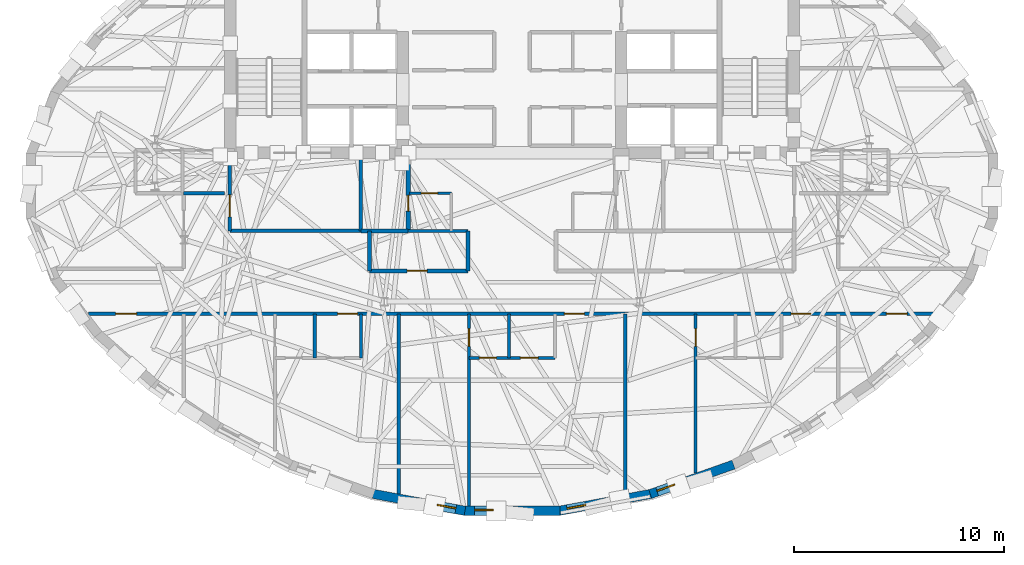
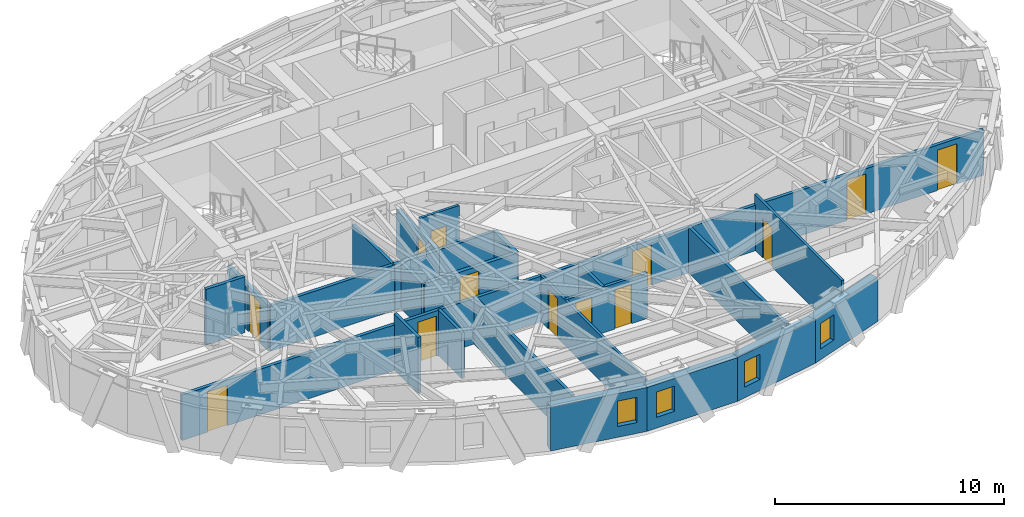
# One storey, part 6 of 13: 24 walls, 13 doors, 4 windows, 17 openings.
"""IFC4 building model written with IfcOpenShell, lengths in metres."""

from ifc_helpers import new_model, si_unit, direction, frame, frame_2d, origin, place, context, subcontext, project, spatial, rectangle, extrude, material, layer, layer_set, type_object, element, fill, save


model = new_model("IFC4")

# Units and contexts
model_context = context("Model", 3, precision=1e-05, world=origin(), true_north=direction((0.0, 1.0)))
body_context = subcontext(model_context, "Body", "Model", "MODEL_VIEW")
ifc_project = project(units=[si_unit("LENGTHUNIT", "METRE"), si_unit("AREAUNIT", "SQUARE_METRE"), si_unit("VOLUMEUNIT", "CUBIC_METRE"), si_unit("PLANEANGLEUNIT", "RADIAN"), si_unit("MASSUNIT", "GRAM", prefix="KILO")], contexts=[model_context])

# Site, building, storey
site_placement = place(None, origin())
site = spatial("IfcSite", under=ifc_project, at=site_placement, CompositionType="ELEMENT")
building_placement = place(site_placement, origin())
building = spatial("IfcBuilding", under=site, at=building_placement, Name="Keldmark Tower", CompositionType="ELEMENT")
storey_placement = place(building_placement, frame((0.0, 0.0, 219.449951171875)))
storey = spatial("IfcBuildingStorey", under=building, at=storey_placement, Name="L61", CompositionType="ELEMENT", Elevation=219.449951171875)

# Wall, opening, door
ifc_material_1 = material(Name="Heavy Acoustic Plumbing Chase Gypsum Assembly", Category="gypsum")
ifc_layer_1 = layer(ifc_material_1, 0.18994140625)
ifc_layer_set_1 = layer_set([ifc_layer_1], Name="Heavy Acoustic Plumbing Chase Gypsum Assembly")
wall_type_1 = type_object("IfcWallType", Name="Heavy Wet Wall 190 mm", PredefinedType="PLUMBINGWALL", material=ifc_layer_set_1)
wall_1_placement = place(storey_placement, frame((-6.800048828125, -4.050048828125, 0.0), z_axis=(0.0, 0.0, 1.0), x_axis=(1.0, 0.0, 0.0)))
wall_1 = element("IfcWall", 1, at=wall_1_placement, inside=storey, type_object=wall_type_1, Name="L61 Heavy Wet Wall 190 mm SPK-W-S", PredefinedType="PLUMBINGWALL", context=body_context, shape_type="SweptSolid", body=[
    extrude(rectangle(XDim=4.699951171875, YDim=0.18994140625, at=frame_2d((2.35009765625, 0.0))), origin(), (0.0, 0.0, 1.0), 2.423095703125),
])
opening_1_placement = place(wall_1_placement, frame((1.800048828125, 0.0, 0.0)))
opening_1 = element("IfcOpeningElement", 2, at=opening_1_placement, cuts=wall_1, Name="Opening D-AWC95", PredefinedType="OPENING", context=body_context, shape_type="SweptSolid", body=[
    extrude(rectangle(XDim=0.949951171875, YDim=2.14990234375, at=frame_2d((0.47509765625, 1.074951171875))), frame((0.0, 0.10498046875, 0.0), z_axis=(0.0, -1.0, 0.0), x_axis=(1.0, 0.0, 0.0)), (0.0, 0.0, 1.0), 0.2099609375),
])
ifc_material_2 = material(Name="Painted Solid-Core Architectural Wood", Category="wood")
door_type_1 = type_object("IfcDoorType", Name="Accessible WC Door 950x2150", OperationType="NOTDEFINED", PredefinedType="DOOR", material=ifc_material_2)
door_1_placement = place(opening_1_placement, origin())
door_1 = element("IfcDoor", 3, at=door_1_placement, inside=storey, type_object=door_type_1, Name="L61 Accessible WC Door 950x2150 D-SPKW1-L61", OperationType="SINGLE_SWING_LEFT", OverallHeight=2.14990234375, OverallWidth=0.949951171875, PredefinedType="DOOR", context=body_context, shape_type="SweptSolid", body=[
    extrude(rectangle(XDim=0.949951171875, YDim=2.14990234375, at=frame_2d((0.47509765625, 1.074951171875))), frame((0.0, 0.02490234375, 0.0), z_axis=(0.0, -1.0, 0.0), x_axis=(1.0, 0.0, 0.0)), (0.0, 0.0, 1.0), 0.050048828125),
])
fill(opening_1, door_1)

# Walls
for number, where, z_axis, x_axis, name in (
    (4, (-6.800048828125, -4.050048828125, 0.0), (0.0, 0.0, 1.0), (0.0, 1.0, 0.0), "L61 Heavy Wet Wall 190 mm SPK-W-W"),
    (5, (-2.10009765625, -4.050048828125, 0.0), (0.0, 0.0, 1.0), (0.0, 1.0, 0.0), "L61 Heavy Wet Wall 190 mm SPK-W-E"),
):
    element("IfcWall", number, at=place(storey_placement, frame(where, z_axis=z_axis, x_axis=x_axis)), inside=storey, type_object=wall_type_1, Name=name, PredefinedType="PLUMBINGWALL", context=body_context, shape_type="SweptSolid", body=[
        extrude(rectangle(XDim=1.900146484375, YDim=0.18994140625, at=frame_2d((0.9501953125, 0.0))), origin(), (0.0, 0.0, 1.0), 2.423095703125),
    ])

# Wall, opening, door
ifc_material_3 = material(Name="Acoustic Gypsum Board Interior Partition", Category="gypsum")
ifc_layer_2 = layer(ifc_material_3, 0.1298828125)
ifc_layer_set_2 = layer_set([ifc_layer_2], Name="Acoustic Gypsum Board Interior Partition")
wall_type_2 = type_object("IfcWallType", Name="Interior Partition 130 mm", PredefinedType="PARTITIONING", material=ifc_layer_set_2)
wall_2_placement = place(storey_placement, frame((-4.8798828125, -0.35009765625, 0.0), z_axis=(0.0, 0.0, 1.0), x_axis=(1.0, 0.0, 0.0)))
wall_2 = element("IfcWall", 6, at=wall_2_placement, inside=storey, type_object=wall_type_2, Name="L61 Interior Partition 130 mm CSC-W-N", PredefinedType="PARTITIONING", context=body_context, shape_type="SweptSolid", body=[
    extrude(rectangle(XDim=1.989990234375, YDim=0.1298828125, at=frame_2d((0.9951171875, 0.0))), origin(), (0.0, 0.0, 1.0), 2.969970703125),
])
opening_2_placement = place(wall_2_placement, frame((0.550048828125, 0.0, 0.0)))
opening_2 = element("IfcOpeningElement", 7, at=opening_2_placement, cuts=wall_2, Name="Opening D-CL078", PredefinedType="OPENING", context=body_context, shape_type="SweptSolid", body=[
    extrude(rectangle(XDim=0.780029296875, YDim=2.10009765625, at=frame_2d((0.39013671875, 1.050048828125))), frame((0.0, 0.074951171875, 0.0), z_axis=(0.0, -1.0, 0.0), x_axis=(1.0, 0.0, 0.0)), (0.0, 0.0, 1.0), 0.14990234375),
])
ifc_material_4 = material(Name="Flush Utility Closet Timber Door", Category="wood")
door_type_2 = type_object("IfcDoorType", Name="Closet Door 780x2100", OperationType="NOTDEFINED", PredefinedType="DOOR", material=ifc_material_4)
door_2_placement = place(opening_2_placement, origin())
door_2 = element("IfcDoor", 8, at=door_2_placement, inside=storey, type_object=door_type_2, Name="L61 Closet Door 780x2100 D-CSCW1-L61", OperationType="SINGLE_SWING_LEFT", OverallHeight=2.10009765625, OverallWidth=0.780029296875, PredefinedType="DOOR", context=body_context, shape_type="SweptSolid", body=[
    extrude(rectangle(XDim=0.780029296875, YDim=2.10009765625, at=frame_2d((0.39013671875, 1.050048828125))), frame((0.0, 0.02490234375, 0.0), z_axis=(0.0, -1.0, 0.0), x_axis=(1.0, 0.0, 0.0)), (0.0, 0.0, 1.0), 0.050048828125),
])
fill(opening_2, door_2)

wall_3_placement = place(storey_placement, frame((-2.050048828125, -15.2587890625, 0.0), z_axis=(0.0, 0.0, 1.0), x_axis=(0.0, 1.0, 0.0)))
wall_3 = element("IfcWall", 9, at=wall_3_placement, inside=storey, type_object=wall_type_2, Name="L61 Interior Partition 130 mm UB-BR1-E", PredefinedType="PARTITIONING", context=body_context, shape_type="SweptSolid", body=[
    extrude(rectangle(XDim=9.15869140625, YDim=0.1298828125, at=frame_2d((4.579345703125, 0.0))), origin(), (0.0, 0.0, 1.0), 2.423095703125),
])
opening_3_placement = place(wall_3_placement, frame((7.60888671875, 0.0, 0.0)))
opening_3 = element("IfcOpeningElement", 10, at=opening_3_placement, cuts=wall_3, Name="Opening D-BR085", PredefinedType="OPENING", context=body_context, shape_type="SweptSolid", body=[
    extrude(rectangle(XDim=0.85009765625, YDim=2.10009765625, at=frame_2d((0.425048828125, 1.050048828125))), frame((0.0, 0.074951171875, 0.0), z_axis=(0.0, -1.0, 0.0), x_axis=(1.0, 0.0, 0.0)), (0.0, 0.0, 1.0), 0.14990234375),
])
ifc_material_5 = material(Name="Solid-Core Stained Walnut Wood", Category="wood")
door_type_3 = type_object("IfcDoorType", Name="Bedroom Door 850x2100", OperationType="NOTDEFINED", PredefinedType="DOOR", material=ifc_material_5)
door_3_placement = place(opening_3_placement, origin())
door_3 = element("IfcDoor", 11, at=door_3_placement, inside=storey, type_object=door_type_3, Name="L61 Bedroom Door 850x2100 D-UB-BR1-L61", OperationType="SINGLE_SWING_RIGHT", OverallHeight=2.10009765625, OverallWidth=0.85009765625, PredefinedType="DOOR", context=body_context, shape_type="SweptSolid", body=[
    extrude(rectangle(XDim=0.85009765625, YDim=2.10009765625, at=frame_2d((0.425048828125, 1.050048828125))), frame((0.0, 0.02490234375, 0.0), z_axis=(0.0, -1.0, 0.0), x_axis=(1.0, 0.0, 0.0)), (0.0, 0.0, 1.0), 0.050048828125),
])
fill(opening_3, door_3)

wall_4_placement = place(storey_placement, frame((8.75, -13.6865234375, 0.0), z_axis=(0.0, 0.0, 1.0), x_axis=(0.0, 1.0, 0.0)))
wall_4 = element("IfcWall", 12, at=wall_4_placement, inside=storey, type_object=wall_type_2, Name="L61 Interior Partition 130 mm UC-BR1-E", PredefinedType="PARTITIONING", context=body_context, shape_type="SweptSolid", body=[
    extrude(rectangle(XDim=7.58642578125, YDim=0.1298828125, at=frame_2d((3.793212890625, 0.0))), origin(), (0.0, 0.0, 1.0), 2.969970703125),
])
opening_4_placement = place(wall_4_placement, frame((6.03662109375, 0.0, 0.0)))
opening_4 = element("IfcOpeningElement", 13, at=opening_4_placement, cuts=wall_4, Name="Opening D-BR085", PredefinedType="OPENING", context=body_context, shape_type="SweptSolid", body=[
    extrude(rectangle(XDim=0.85009765625, YDim=2.10009765625, at=frame_2d((0.425048828125, 1.050048828125))), frame((0.0, 0.074951171875, 0.0), z_axis=(0.0, -1.0, 0.0), x_axis=(1.0, 0.0, 0.0)), (0.0, 0.0, 1.0), 0.14990234375),
])
door_4_placement = place(opening_4_placement, origin())
door_4 = element("IfcDoor", 14, at=door_4_placement, inside=storey, type_object=door_type_3, Name="L61 Bedroom Door 850x2100 D-UC-BR1-L61", OperationType="SINGLE_SWING_RIGHT", OverallHeight=2.10009765625, OverallWidth=0.85009765625, PredefinedType="DOOR", context=body_context, shape_type="SweptSolid", body=[
    extrude(rectangle(XDim=0.85009765625, YDim=2.10009765625, at=frame_2d((0.425048828125, 1.050048828125))), frame((0.0, 0.02490234375, 0.0), z_axis=(0.0, -1.0, 0.0), x_axis=(1.0, 0.0, 0.0)), (0.0, 0.0, 1.0), 0.050048828125),
])
fill(opening_4, door_4)

# Wall
ifc_material_6 = material(Name="Type X Fire-Rated Gypsum Partition Assembly", Category="gypsum")
ifc_layer_3 = layer(ifc_material_6, 0.1650390625)
ifc_layer_set_3 = layer_set([ifc_layer_3], Name="Type X Fire-Rated Gypsum Partition Assembly")
wall_type_3 = type_object("IfcWallType", Name="Rated Partition 165 mm", PredefinedType="PARTITIONING", material=ifc_layer_set_3)
wall_5_placement = place(storey_placement, frame((-13.449951171875, -2.14990234375, 0.0), z_axis=(0.0, 0.0, 1.0), x_axis=(1.0, 0.0, 0.0)))
element("IfcWall", 15, at=wall_5_placement, inside=storey, type_object=wall_type_3, Name="L61 Rated Partition 165 mm FSAE-W-S", PredefinedType="PARTITIONING", context=body_context, shape_type="SweptSolid", body=[
    extrude(rectangle(XDim=6.25, YDim=0.1650390625, at=frame_2d((3.125, 0.0))), origin(), (0.0, 0.0, 1.0), 2.423095703125),
])

# Wall, opening, door
wall_6_placement = place(storey_placement, frame((-13.449951171875, -2.14990234375, 0.0), z_axis=(0.0, 0.0, 1.0), x_axis=(0.0, 1.0, 0.0)))
wall_6 = element("IfcWall", 16, at=wall_6_placement, inside=storey, type_object=wall_type_3, Name="L61 Rated Partition 165 mm FSAE-W-W", PredefinedType="PARTITIONING", context=body_context, shape_type="SweptSolid", body=[
    extrude(rectangle(XDim=3.5, YDim=0.1650390625, at=frame_2d((1.75, 0.0))), origin(), (0.0, 0.0, 1.0), 2.423095703125),
])
opening_5_placement = place(wall_6_placement, frame((0.669921875, 0.0, 0.0)))
opening_5 = element("IfcOpeningElement", 17, at=opening_5_placement, cuts=wall_6, Name="Opening D-FL105", PredefinedType="OPENING", context=body_context, shape_type="SweptSolid", body=[
    extrude(rectangle(XDim=1.050048828125, YDim=2.14990234375, at=frame_2d((0.52490234375, 1.074951171875))), frame((0.0, 0.092529296875, 0.0), z_axis=(0.0, -1.0, 0.0), x_axis=(1.0, 0.0, 0.0)), (0.0, 0.0, 1.0), 0.18505859375),
])
ifc_material_7 = material(Name="Fire-Rated Mineral-Core Door and Vision Lite", Category="metal")
door_type_4 = type_object("IfcDoorType", Name="Fire Lobby Door 1050x2150", OperationType="NOTDEFINED", PredefinedType="DOOR", material=ifc_material_7)
door_5_placement = place(opening_5_placement, origin())
door_5 = element("IfcDoor", 18, at=door_5_placement, inside=storey, type_object=door_type_4, Name="L61 Fire Lobby Door 1050x2150 D-FSAEW-OUT-L61", OperationType="SINGLE_SWING_LEFT", OverallHeight=2.14990234375, OverallWidth=1.050048828125, PredefinedType="DOOR", context=body_context, shape_type="SweptSolid", body=[
    extrude(rectangle(XDim=1.050048828125, YDim=2.14990234375, at=frame_2d((0.52490234375, 1.074951171875))), frame((0.0, 0.02490234375, 0.0), z_axis=(0.0, -1.0, 0.0), x_axis=(1.0, 0.0, 0.0)), (0.0, 0.0, 1.0), 0.050048828125),
])
fill(opening_5, door_5)

# Wall
wall_7_placement = place(storey_placement, frame((-7.199951171875, -2.14990234375, 0.0), z_axis=(0.0, 0.0, 1.0), x_axis=(0.0, 1.0, 0.0)))
element("IfcWall", 19, at=wall_7_placement, inside=storey, type_object=wall_type_3, Name="L61 Rated Partition 165 mm FSAE-W-E", PredefinedType="PARTITIONING", context=body_context, shape_type="SweptSolid", body=[
    extrude(rectangle(XDim=3.5, YDim=0.1650390625, at=frame_2d((1.75, 0.0))), origin(), (0.0, 0.0, 1.0), 2.423095703125),
])

# Wall, openings, doors
wall_8_placement = place(storey_placement, frame((-20.1884765625, -6.10009765625, 0.0), z_axis=(0.0, 0.0, 1.0), x_axis=(1.0, 0.0, 0.0)))
wall_8 = element("IfcWall", 20, at=wall_8_placement, inside=storey, type_object=wall_type_3, Name="L61 Rated Partition 165 mm RCOR-S", PredefinedType="PARTITIONING", context=body_context, shape_type="SweptSolid", body=[
    extrude(rectangle(XDim=40.376953125, YDim=0.1650390625, at=frame_2d((20.1884765625, 0.0))), origin(), (0.0, 0.0, 1.0), 2.423095703125),
])
opening_6_placement = place(wall_8_placement, frame((1.29736328125, 0.0, 0.0)))
opening_6 = element("IfcOpeningElement", 21, at=opening_6_placement, cuts=wall_8, Name="Opening D-FD100", PredefinedType="OPENING", context=body_context, shape_type="SweptSolid", body=[
    extrude(rectangle(XDim=1.0, YDim=2.14990234375, at=frame_2d((0.5, 1.074951171875))), frame((0.0, 0.092529296875, 0.0), z_axis=(0.0, -1.0, 0.0), x_axis=(1.0, 0.0, 0.0)), (0.0, 0.0, 1.0), 0.18505859375),
])
opening_7_placement = place(wall_8_placement, frame((38.029296875, 0.0, 0.0)))
opening_7 = element("IfcOpeningElement", 22, at=opening_7_placement, cuts=wall_8, Name="Opening D-FD100", PredefinedType="OPENING", context=body_context, shape_type="SweptSolid", body=[
    extrude(rectangle(XDim=1.0, YDim=2.14990234375, at=frame_2d((0.5, 1.074951171875))), frame((0.0, 0.092529296875, 0.0), z_axis=(0.0, -1.0, 0.0), x_axis=(1.0, 0.0, 0.0)), (0.0, 0.0, 1.0), 0.18505859375),
])
opening_8_placement = place(wall_8_placement, frame((11.87841796875, 0.0, 0.0)))
opening_8 = element("IfcOpeningElement", 23, at=opening_8_placement, cuts=wall_8, Name="Opening D-AP095", PredefinedType="OPENING", context=body_context, shape_type="SweptSolid", body=[
    extrude(rectangle(XDim=0.949951171875, YDim=2.14990234375, at=frame_2d((0.47509765625, 1.074951171875))), frame((0.0, 0.092529296875, 0.0), z_axis=(0.0, -1.0, 0.0), x_axis=(1.0, 0.0, 0.0)), (0.0, 0.0, 1.0), 0.18505859375),
])
opening_9_placement = place(wall_8_placement, frame((22.6884765625, 0.0, 0.0)))
opening_9 = element("IfcOpeningElement", 24, at=opening_9_placement, cuts=wall_8, Name="Opening D-AP095", PredefinedType="OPENING", context=body_context, shape_type="SweptSolid", body=[
    extrude(rectangle(XDim=0.949951171875, YDim=2.14990234375, at=frame_2d((0.47509765625, 1.074951171875))), frame((0.0, 0.092529296875, 0.0), z_axis=(0.0, -1.0, 0.0), x_axis=(1.0, 0.0, 0.0)), (0.0, 0.0, 1.0), 0.18505859375),
])
opening_10_placement = place(wall_8_placement, frame((33.48828125, 0.0, 0.0)))
opening_10 = element("IfcOpeningElement", 25, at=opening_10_placement, cuts=wall_8, Name="Opening D-AP095", PredefinedType="OPENING", context=body_context, shape_type="SweptSolid", body=[
    extrude(rectangle(XDim=0.949951171875, YDim=2.14990234375, at=frame_2d((0.47509765625, 1.074951171875))), frame((0.0, 0.092529296875, 0.0), z_axis=(0.0, -1.0, 0.0), x_axis=(1.0, 0.0, 0.0)), (0.0, 0.0, 1.0), 0.18505859375),
])
ifc_material_8 = material(Name="Solid-Core Walnut Fire-Rated Entry Assembly", Category="wood")
door_type_5 = type_object("IfcDoorType", Name="Apartment Entry Door 950x2150", OperationType="NOTDEFINED", PredefinedType="DOOR", material=ifc_material_8)
door_6_placement = place(opening_8_placement, origin())
door_6 = element("IfcDoor", 26, at=door_6_placement, inside=storey, type_object=door_type_5, Name="L61 Apartment Entry Door 950x2150 D-UA-ENT-L61", OperationType="SINGLE_SWING_LEFT", OverallHeight=2.14990234375, OverallWidth=0.949951171875, PredefinedType="DOOR", context=body_context, shape_type="SweptSolid", body=[
    extrude(rectangle(XDim=0.949951171875, YDim=2.14990234375, at=frame_2d((0.47509765625, 1.074951171875))), frame((0.0, 0.02490234375, 0.0), z_axis=(0.0, -1.0, 0.0), x_axis=(1.0, 0.0, 0.0)), (0.0, 0.0, 1.0), 0.050048828125),
])
fill(opening_8, door_6)
door_7_placement = place(opening_9_placement, origin())
door_7 = element("IfcDoor", 27, at=door_7_placement, inside=storey, type_object=door_type_5, Name="L61 Apartment Entry Door 950x2150 D-UB-ENT-L61", OperationType="SINGLE_SWING_LEFT", OverallHeight=2.14990234375, OverallWidth=0.949951171875, PredefinedType="DOOR", context=body_context, shape_type="SweptSolid", body=[
    extrude(rectangle(XDim=0.949951171875, YDim=2.14990234375, at=frame_2d((0.47509765625, 1.074951171875))), frame((0.0, 0.02490234375, 0.0), z_axis=(0.0, -1.0, 0.0), x_axis=(1.0, 0.0, 0.0)), (0.0, 0.0, 1.0), 0.050048828125),
])
fill(opening_9, door_7)
door_8_placement = place(opening_10_placement, origin())
door_8 = element("IfcDoor", 28, at=door_8_placement, inside=storey, type_object=door_type_5, Name="L61 Apartment Entry Door 950x2150 D-UC-ENT-L61", OperationType="SINGLE_SWING_LEFT", OverallHeight=2.14990234375, OverallWidth=0.949951171875, PredefinedType="DOOR", context=body_context, shape_type="SweptSolid", body=[
    extrude(rectangle(XDim=0.949951171875, YDim=2.14990234375, at=frame_2d((0.47509765625, 1.074951171875))), frame((0.0, 0.02490234375, 0.0), z_axis=(0.0, -1.0, 0.0), x_axis=(1.0, 0.0, 0.0)), (0.0, 0.0, 1.0), 0.050048828125),
])
fill(opening_10, door_8)
ifc_material_9 = material(Name="Hollow Metal Fire-Rated Corridor Door", Category="metal")
door_type_6 = type_object("IfcDoorType", Name="Fire Door 1000x2150", OperationType="NOTDEFINED", PredefinedType="DOOR", material=ifc_material_9)
door_9_placement = place(opening_6_placement, origin())
door_9 = element("IfcDoor", 29, at=door_9_placement, inside=storey, type_object=door_type_6, Name="L61 Fire Door 1000x2150 D-RSCW-L61", OperationType="SINGLE_SWING_LEFT", OverallHeight=2.14990234375, OverallWidth=1.0, PredefinedType="DOOR", context=body_context, shape_type="SweptSolid", body=[
    extrude(rectangle(XDim=1.0, YDim=2.14990234375, at=frame_2d((0.5, 1.074951171875))), frame((0.0, 0.02490234375, 0.0), z_axis=(0.0, -1.0, 0.0), x_axis=(1.0, 0.0, 0.0)), (0.0, 0.0, 1.0), 0.050048828125),
])
fill(opening_6, door_9)
door_10_placement = place(opening_7_placement, origin())
door_10 = element("IfcDoor", 30, at=door_10_placement, inside=storey, type_object=door_type_6, Name="L61 Fire Door 1000x2150 D-RSCE-L61", OperationType="SINGLE_SWING_RIGHT", OverallHeight=2.14990234375, OverallWidth=1.0, PredefinedType="DOOR", context=body_context, shape_type="SweptSolid", body=[
    extrude(rectangle(XDim=1.0, YDim=2.14990234375, at=frame_2d((0.5, 1.074951171875))), frame((0.0, 0.02490234375, 0.0), z_axis=(0.0, -1.0, 0.0), x_axis=(1.0, 0.0, 0.0)), (0.0, 0.0, 1.0), 0.050048828125),
])
fill(opening_7, door_10)

# Walls
wall_9_placement = place(storey_placement, frame((-15.64990234375, -0.35009765625, 0.0), z_axis=(0.0, 0.0, 1.0), x_axis=(1.0, 0.0, 0.0)))
element("IfcWall", 31, at=wall_9_placement, inside=storey, type_object=wall_type_3, Name="L61 Rated Partition 165 mm RCOR-VWN", PredefinedType="PARTITIONING", context=body_context, shape_type="SweptSolid", body=[
    extrude(rectangle(XDim=1.949951171875, YDim=0.1650390625, at=frame_2d((0.97509765625, 0.0))), origin(), (0.0, 0.0, 1.0), 2.969970703125),
])
for number, where, z_axis, x_axis, name in (
    (32, (-5.39990234375, -14.677490234375, 0.0), (0.0, 0.0, 1.0), (0.0, 1.0, 0.0), "L61 Rated Partition 165 mm RS-DIV-1"),
    (33, (5.39990234375, -14.677490234375, 0.0), (0.0, 0.0, 1.0), (0.0, 1.0, 0.0), "L61 Rated Partition 165 mm RS-DIV-2"),
):
    element("IfcWall", number, at=place(storey_placement, frame(where, z_axis=z_axis, x_axis=x_axis)), inside=storey, type_object=wall_type_3, Name=name, PredefinedType="PARTITIONING", context=body_context, shape_type="SweptSolid", body=[
        extrude(rectangle(XDim=8.577392578125, YDim=0.1650390625, at=frame_2d((4.28857421875, 0.0))), origin(), (0.0, 0.0, 1.0), 2.423095703125),
    ])
ifc_material_10 = material(Name="Fire-Resistant Type X Gypsum Shaftliner Coreboard", Category="gypsum")
ifc_layer_4 = layer(ifc_material_10, 0.199951171875)
ifc_layer_set_4 = layer_set([ifc_layer_4], Name="Fire-Resistant Type X Gypsum Shaftliner Coreboard")
wall_type_4 = type_object("IfcWallType", Name="Shaft Wall 200 mm", PredefinedType="SOLIDWALL", material=ifc_layer_set_4)
wall_10_placement = place(storey_placement, frame((-7.199951171875, -2.14990234375, 0.0), z_axis=(0.0, 0.0, 1.0), x_axis=(1.0, 0.0, 0.0)))
element("IfcWall", 34, at=wall_10_placement, inside=storey, type_object=wall_type_4, Name="L61 Shaft Wall 200 mm RIS-SW-S", PredefinedType="SOLIDWALL", context=body_context, shape_type="SweptSolid", body=[
    extrude(rectangle(XDim=2.25, YDim=0.199951171875, at=frame_2d((1.125, 0.0))), origin(), (0.0, 0.0, 1.0), 2.423095703125),
])

# Wall, opening, door
wall_11_placement = place(storey_placement, frame((-4.949951171875, -2.14990234375, 0.0), z_axis=(0.0, 0.0, 1.0), x_axis=(0.0, 1.0, 0.0)))
wall_11 = element("IfcWall", 35, at=wall_11_placement, inside=storey, type_object=wall_type_4, Name="L61 Shaft Wall 200 mm RIS-SW-E", PredefinedType="SOLIDWALL", context=body_context, shape_type="SweptSolid", body=[
    extrude(rectangle(XDim=3.5, YDim=0.199951171875, at=frame_2d((1.75, 0.0))), origin(), (0.0, 0.0, 1.0), 2.423095703125),
])
opening_11_placement = place(wall_11_placement, frame((0.949951171875, 0.0, 0.0)))
opening_11 = element("IfcOpeningElement", 36, at=opening_11_placement, cuts=wall_11, Name="Opening D-RS075", PredefinedType="OPENING", context=body_context, shape_type="SweptSolid", body=[
    extrude(rectangle(XDim=0.75, YDim=2.10009765625, at=frame_2d((0.375, 1.050048828125))), frame((0.0, 0.10986328125, 0.0), z_axis=(0.0, -1.0, 0.0), x_axis=(1.0, 0.0, 0.0)), (0.0, 0.0, 1.0), 0.219970703125),
])
ifc_material_11 = material(Name="Galvanized Fire-Rated Access Leaf", Category="metal")
door_type_7 = type_object("IfcDoorType", Name="Riser Access Door 750x2100", OperationType="NOTDEFINED", PredefinedType="DOOR", material=ifc_material_11)
door_11_placement = place(opening_11_placement, origin())
door_11 = element("IfcDoor", 37, at=door_11_placement, inside=storey, type_object=door_type_7, Name="L61 Riser Access Door 750x2100 D-RISSW-L61", OperationType="SINGLE_SWING_RIGHT", OverallHeight=2.10009765625, OverallWidth=0.75, PredefinedType="DOOR", context=body_context, shape_type="SweptSolid", body=[
    extrude(rectangle(XDim=0.75, YDim=2.10009765625, at=frame_2d((0.375, 1.050048828125))), frame((0.0, 0.02490234375, 0.0), z_axis=(0.0, -1.0, 0.0), x_axis=(1.0, 0.0, 0.0)), (0.0, 0.0, 1.0), 0.050048828125),
])
fill(opening_11, door_11)

# Wall, opening, window
ifc_material_12 = material(Name="Ironspot Manganese Brick and Kasota Buff Limestone Spandrel Assembly", Category="masonry")
ifc_layer_5 = layer(ifc_material_12, 0.43994140625)
ifc_layer_set_5 = layer_set([ifc_layer_5], Name="Ironspot Manganese Brick and Kasota Buff Limestone Spandrel Assembly")
wall_type_5 = type_object("IfcWallType", Name="Tower Brick Pier and Spandrel Wall 440 mm", PredefinedType="STANDARD", material=ifc_layer_set_5)
wall_12_placement = place(storey_placement, frame((-2.2412109375, -15.490234375, 0.0), z_axis=(0.0, 0.0, 1.0), x_axis=(-0.983508612793, 0.180861296472, 0.0)))
wall_12 = element("IfcWall", 38, at=wall_12_placement, inside=storey, type_object=wall_type_5, Name="L61 Exterior Brick and Spandrel Wall 23", PredefinedType="STANDARD", context=body_context, shape_type="SweptSolid", body=[
    extrude(rectangle(XDim=4.457275390625, YDim=0.43994140625, at=frame_2d((2.228515625, 0.0))), origin(), (0.0, 0.0, 1.0), 2.3359375),
])
opening_12_placement = place(wall_12_placement, frame((0.44677734375, 0.0, 0.580078125)))
opening_12 = element("IfcOpeningElement", 39, at=opening_12_placement, cuts=wall_12, Name="Opening W-09", PredefinedType="OPENING", context=body_context, shape_type="SweptSolid", body=[
    extrude(rectangle(XDim=0.89990234375, YDim=1.35009765625, at=frame_2d((0.449951171875, 0.675048828125))), frame((0.0, 0.22998046875, 0.0), z_axis=(0.0, -1.0, 0.0), x_axis=(1.0, 0.0, 0.0)), (0.0, 0.0, 1.0), 0.4599609375),
])
ifc_material_13 = material(Name="Thermally Broken Anodized Aluminum and Triple Low-E Argon Glazing", Category="aluminium")
window_type = type_object("IfcWindowType", Name="Corner Pier Deep-Set Window 900x1350", PartitioningType="SINGLE_PANEL", PredefinedType="WINDOW", material=ifc_material_13)
window_1_placement = place(opening_12_placement, origin())
window_1 = element("IfcWindow", 40, at=window_1_placement, inside=storey, type_object=window_type, Name="L61 Deep-Set Window 23", OverallHeight=1.35009765625, OverallWidth=0.89990234375, PartitioningType="SINGLE_PANEL", PredefinedType="WINDOW", context=body_context, shape_type="SweptSolid", body=[
    extrude(rectangle(XDim=0.89990234375, YDim=1.35009765625, at=frame_2d((0.449951171875, 0.675048828125))), frame((0.0, -0.010009765625, 0.0), z_axis=(0.0, -1.0, 0.0), x_axis=(1.0, 0.0, 0.0)), (0.0, 0.0, 1.0), 0.06005859375),
])
fill(opening_12, window_1)

wall_13_placement = place(storey_placement, frame((2.281005859375, -15.48681640625, 0.0), z_axis=(0.0, 0.0, 1.0), x_axis=(-1.0, 0.0, 0.0)))
wall_13 = element("IfcWall", 41, at=wall_13_placement, inside=storey, type_object=wall_type_5, Name="L61 Exterior Brick and Spandrel Wall 24", PredefinedType="STANDARD", context=body_context, shape_type="SweptSolid", body=[
    extrude(rectangle(XDim=4.56201171875, YDim=0.43994140625, at=frame_2d((2.281005859375, 0.0))), origin(), (0.0, 0.0, 1.0), 2.3359375),
])
opening_13_placement = place(wall_13_placement, frame((3.16552734375, 0.0, 0.580078125)))
opening_13 = element("IfcOpeningElement", 42, at=opening_13_placement, cuts=wall_13, Name="Opening W-09", PredefinedType="OPENING", context=body_context, shape_type="SweptSolid", body=[
    extrude(rectangle(XDim=0.89990234375, YDim=1.35009765625, at=frame_2d((0.449951171875, 0.675048828125))), frame((0.0, 0.22998046875, 0.0), z_axis=(0.0, -1.0, 0.0), x_axis=(1.0, 0.0, 0.0)), (0.0, 0.0, 1.0), 0.4599609375),
])
window_2_placement = place(opening_13_placement, origin())
window_2 = element("IfcWindow", 43, at=window_2_placement, inside=storey, type_object=window_type, Name="L61 Deep-Set Window 24", OverallHeight=1.35009765625, OverallWidth=0.89990234375, PartitioningType="SINGLE_PANEL", PredefinedType="WINDOW", context=body_context, shape_type="SweptSolid", body=[
    extrude(rectangle(XDim=0.89990234375, YDim=1.35009765625, at=frame_2d((0.449951171875, 0.675048828125))), frame((0.0, -0.010009765625, 0.0), z_axis=(0.0, -1.0, 0.0), x_axis=(1.0, 0.0, 0.0)), (0.0, 0.0, 1.0), 0.06005859375),
])
fill(opening_13, window_2)

wall_14_placement = place(storey_placement, frame((6.625, -14.68408203125, 0.0), z_axis=(0.0, 0.0, 1.0), x_axis=(-0.983508612793, -0.180861296472, 0.0)))
wall_14 = element("IfcWall", 44, at=wall_14_placement, inside=storey, type_object=wall_type_5, Name="L61 Exterior Brick and Spandrel Wall 25", PredefinedType="STANDARD", context=body_context, shape_type="SweptSolid", body=[
    extrude(rectangle(XDim=4.457275390625, YDim=0.43994140625, at=frame_2d((2.228515625, 0.0))), origin(), (0.0, 0.0, 1.0), 2.3359375),
])
opening_14_placement = place(wall_14_placement, frame((3.159912109375, 0.0, 0.580078125)))
opening_14 = element("IfcOpeningElement", 45, at=opening_14_placement, cuts=wall_14, Name="Opening W-09", PredefinedType="OPENING", context=body_context, shape_type="SweptSolid", body=[
    extrude(rectangle(XDim=0.89990234375, YDim=1.35009765625, at=frame_2d((0.449951171875, 0.675048828125))), frame((0.0, 0.22998046875, 0.0), z_axis=(0.0, -1.0, 0.0), x_axis=(1.0, 0.0, 0.0)), (0.0, 0.0, 1.0), 0.4599609375),
])
window_3_placement = place(opening_14_placement, origin())
window_3 = element("IfcWindow", 46, at=window_3_placement, inside=storey, type_object=window_type, Name="L61 Deep-Set Window 25", OverallHeight=1.35009765625, OverallWidth=0.89990234375, PartitioningType="SINGLE_PANEL", PredefinedType="WINDOW", context=body_context, shape_type="SweptSolid", body=[
    extrude(rectangle(XDim=0.89990234375, YDim=1.35009765625, at=frame_2d((0.449951171875, 0.675048828125))), frame((0.0, -0.010009765625, 0.0), z_axis=(0.0, -1.0, 0.0), x_axis=(1.0, 0.0, 0.0)), (0.0, 0.0, 1.0), 0.06005859375),
])
fill(opening_14, window_3)

wall_15_placement = place(storey_placement, frame((10.5615234375, -13.286865234375, 0.0), z_axis=(0.0, 0.0, 1.0), x_axis=(-0.942617344196, -0.333875040128, 0.0)))
wall_15 = element("IfcWall", 47, at=wall_15_placement, inside=storey, type_object=wall_type_5, Name="L61 Exterior Brick and Spandrel Wall 26", PredefinedType="STANDARD", context=body_context, shape_type="SweptSolid", body=[
    extrude(rectangle(XDim=4.2119140625, YDim=0.43994140625, at=frame_2d((2.10595703125, 0.0))), origin(), (0.0, 0.0, 1.0), 2.3359375),
])
opening_15_placement = place(wall_15_placement, frame((2.964111328125, 0.0, 0.580078125)))
opening_15 = element("IfcOpeningElement", 48, at=opening_15_placement, cuts=wall_15, Name="Opening W-09", PredefinedType="OPENING", context=body_context, shape_type="SweptSolid", body=[
    extrude(rectangle(XDim=0.89990234375, YDim=1.35009765625, at=frame_2d((0.449951171875, 0.675048828125))), frame((0.0, 0.22998046875, 0.0), z_axis=(0.0, -1.0, 0.0), x_axis=(1.0, 0.0, 0.0)), (0.0, 0.0, 1.0), 0.4599609375),
])
window_4_placement = place(opening_15_placement, origin())
window_4 = element("IfcWindow", 49, at=window_4_placement, inside=storey, type_object=window_type, Name="L61 Deep-Set Window 26", OverallHeight=1.35009765625, OverallWidth=0.89990234375, PartitioningType="SINGLE_PANEL", PredefinedType="WINDOW", context=body_context, shape_type="SweptSolid", body=[
    extrude(rectangle(XDim=0.89990234375, YDim=1.35009765625, at=frame_2d((0.449951171875, 0.675048828125))), frame((0.0, -0.010009765625, 0.0), z_axis=(0.0, -1.0, 0.0), x_axis=(1.0, 0.0, 0.0)), (0.0, 0.0, 1.0), 0.06005859375),
])
fill(opening_15, window_4)

# Walls
ifc_material_14 = material(Name="Moisture-Resistant Gypsum Plumbing Partition", Category="gypsum")
ifc_layer_6 = layer(ifc_material_14, 0.14990234375)
ifc_layer_set_6 = layer_set([ifc_layer_6], Name="Moisture-Resistant Gypsum Plumbing Partition")
wall_type_6 = type_object("IfcWallType", Name="Wet Wall 150 mm", PredefinedType="PLUMBINGWALL", material=ifc_layer_set_6)
wall_16_placement = place(storey_placement, frame((-4.949951171875, -2.14990234375, 0.0), z_axis=(0.0, 0.0, 1.0), x_axis=(1.0, 0.0, 0.0)))
element("IfcWall", 50, at=wall_16_placement, inside=storey, type_object=wall_type_6, Name="L61 Wet Wall 150 mm SPK-W-N", PredefinedType="PLUMBINGWALL", context=body_context, shape_type="SweptSolid", body=[
    extrude(rectangle(XDim=2.849853515625, YDim=0.14990234375, at=frame_2d((1.4248046875, 0.0))), origin(), (0.0, 0.0, 1.0), 2.423095703125),
])
wall_17_placement = place(storey_placement, frame((-9.39990234375, -8.199951171875, 0.0), z_axis=(0.0, 0.0, 1.0), x_axis=(0.0, 1.0, 0.0)))
element("IfcWall", 51, at=wall_17_placement, inside=storey, type_object=wall_type_6, Name="L61 Wet Wall 150 mm UA-BK-M", PredefinedType="PLUMBINGWALL", context=body_context, shape_type="SweptSolid", body=[
    extrude(rectangle(XDim=2.099853515625, YDim=0.14990234375, at=frame_2d((1.0498046875, 0.0))), origin(), (0.0, 0.0, 1.0), 2.969970703125),
])
wall_18_placement = place(storey_placement, frame((-7.199951171875, -8.199951171875, 0.0), z_axis=(0.0, 0.0, 1.0), x_axis=(0.0, 1.0, 0.0)))
element("IfcWall", 52, at=wall_18_placement, inside=storey, type_object=wall_type_6, Name="L61 Wet Wall 150 mm UA-BK-E", PredefinedType="PLUMBINGWALL", context=body_context, shape_type="SweptSolid", body=[
    extrude(rectangle(XDim=2.099853515625, YDim=0.14990234375, at=frame_2d((1.0498046875, 0.0))), origin(), (0.0, 0.0, 1.0), 2.423095703125),
])

# Wall, openings, doors
wall_19_placement = place(storey_placement, frame((-2.050048828125, -8.199951171875, 0.0), z_axis=(0.0, 0.0, 1.0), x_axis=(1.0, 0.0, 0.0)))
wall_19 = element("IfcWall", 53, at=wall_19_placement, inside=storey, type_object=wall_type_6, Name="L61 Wet Wall 150 mm UB-BK-S", PredefinedType="PLUMBINGWALL", context=body_context, shape_type="SweptSolid", body=[
    extrude(rectangle(XDim=4.10009765625, YDim=0.14990234375, at=frame_2d((2.050048828125, 0.0))), origin(), (0.0, 0.0, 1.0), 2.423095703125),
])
opening_16_placement = place(wall_19_placement, frame((0.5, 0.0, 0.0)))
opening_16 = element("IfcOpeningElement", 54, at=opening_16_placement, cuts=wall_19, Name="Opening D-BT080", PredefinedType="OPENING", context=body_context, shape_type="SweptSolid", body=[
    extrude(rectangle(XDim=0.800048828125, YDim=2.10009765625, at=frame_2d((0.39990234375, 1.050048828125))), frame((0.0, 0.0849609375, 0.0), z_axis=(0.0, -1.0, 0.0), x_axis=(1.0, 0.0, 0.0)), (0.0, 0.0, 1.0), 0.169921875),
])
opening_17_placement = place(wall_19_placement, frame((2.449951171875, 0.0, 0.0)))
opening_17 = element("IfcOpeningElement", 55, at=opening_17_placement, cuts=wall_19, Name="Opening D-IN085", PredefinedType="OPENING", context=body_context, shape_type="SweptSolid", body=[
    extrude(rectangle(XDim=0.85009765625, YDim=2.10009765625, at=frame_2d((0.425048828125, 1.050048828125))), frame((0.0, 0.0849609375, 0.0), z_axis=(0.0, -1.0, 0.0), x_axis=(1.0, 0.0, 0.0)), (0.0, 0.0, 1.0), 0.169921875),
])
ifc_material_15 = material(Name="Moisture-Sealed Stained Wood", Category="wood")
door_type_8 = type_object("IfcDoorType", Name="Bathroom Door 800x2100", OperationType="NOTDEFINED", PredefinedType="DOOR", material=ifc_material_15)
door_12_placement = place(opening_16_placement, origin())
door_12 = element("IfcDoor", 56, at=door_12_placement, inside=storey, type_object=door_type_8, Name="L61 Bathroom Door 800x2100 D-UB-BATH-L61", OperationType="SINGLE_SWING_LEFT", OverallHeight=2.10009765625, OverallWidth=0.800048828125, PredefinedType="DOOR", context=body_context, shape_type="SweptSolid", body=[
    extrude(rectangle(XDim=0.800048828125, YDim=2.10009765625, at=frame_2d((0.39990234375, 1.050048828125))), frame((0.0, 0.02490234375, 0.0), z_axis=(0.0, -1.0, 0.0), x_axis=(1.0, 0.0, 0.0)), (0.0, 0.0, 1.0), 0.050048828125),
])
fill(opening_16, door_12)
ifc_material_16 = material(Name="Painted Architectural Wood", Category="wood")
door_type_9 = type_object("IfcDoorType", Name="Interior Door 850x2100", OperationType="NOTDEFINED", PredefinedType="DOOR", material=ifc_material_16)
door_13_placement = place(opening_17_placement, origin())
door_13 = element("IfcDoor", 57, at=door_13_placement, inside=storey, type_object=door_type_9, Name="L61 Interior Door 850x2100 D-UB-KIT-L61", OperationType="SINGLE_SWING_RIGHT", OverallHeight=2.10009765625, OverallWidth=0.85009765625, PredefinedType="DOOR", context=body_context, shape_type="SweptSolid", body=[
    extrude(rectangle(XDim=0.85009765625, YDim=2.10009765625, at=frame_2d((0.425048828125, 1.050048828125))), frame((0.0, 0.02490234375, 0.0), z_axis=(0.0, -1.0, 0.0), x_axis=(1.0, 0.0, 0.0)), (0.0, 0.0, 1.0), 0.050048828125),
])
fill(opening_17, door_13)

# Wall
wall_20_placement = place(storey_placement, frame((-0.14990234375, -8.199951171875, 0.0), z_axis=(0.0, 0.0, 1.0), x_axis=(0.0, 1.0, 0.0)))
element("IfcWall", 58, at=wall_20_placement, inside=storey, type_object=wall_type_6, Name="L61 Wet Wall 150 mm UB-BK-M", PredefinedType="PLUMBINGWALL", context=body_context, shape_type="SweptSolid", body=[
    extrude(rectangle(XDim=2.099853515625, YDim=0.14990234375, at=frame_2d((1.0498046875, 0.0))), origin(), (0.0, 0.0, 1.0), 2.423095703125),
])

save(model, "model.ifc")
